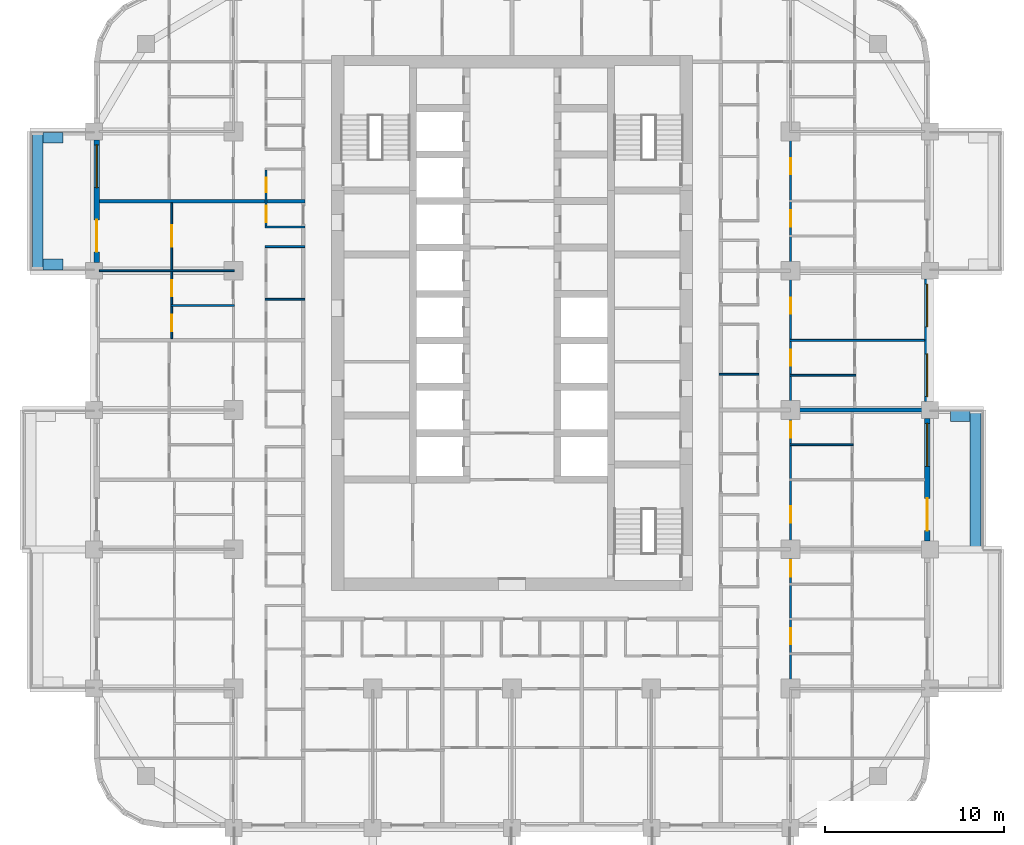
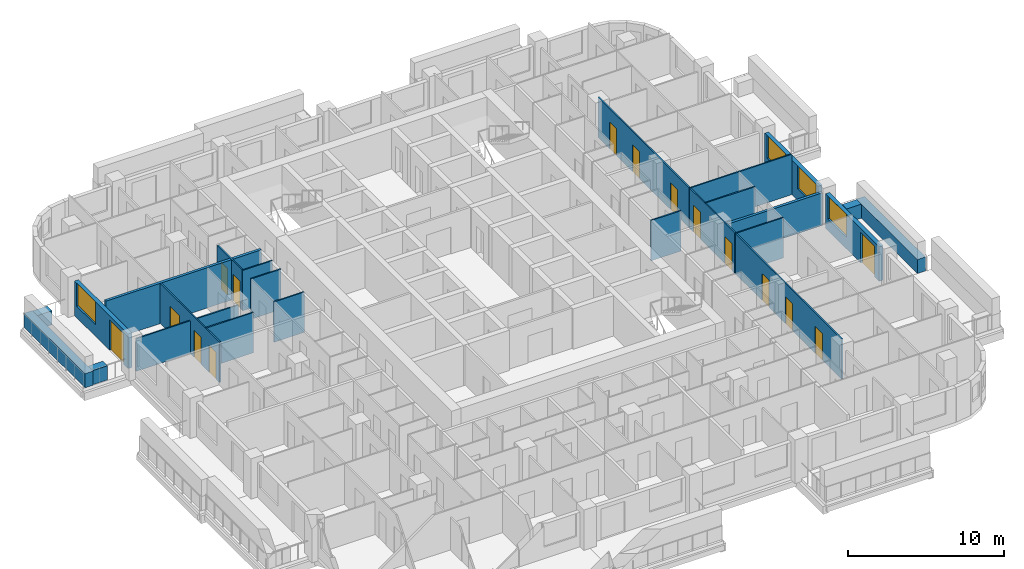
# One storey, part 9 of 18: 22 walls, 15 doors, 4 windows, 19 openings.
"""IFC4 building model written with IfcOpenShell, lengths in metres."""

from ifc_helpers import new_model, si_unit, direction, frame, frame_2d, origin, place, context, subcontext, project, spatial, rectangle, extrude, material, layer, layer_set, type_object, element, fill, save


model = new_model("IFC4")

# Units and contexts
model_context = context("Model", 3, precision=1e-05, world=origin(), true_north=direction((0.0, 1.0)))
body_context = subcontext(model_context, "Body", "Model", "MODEL_VIEW")
ifc_project = project(units=[si_unit("LENGTHUNIT", "METRE"), si_unit("AREAUNIT", "SQUARE_METRE"), si_unit("VOLUMEUNIT", "CUBIC_METRE"), si_unit("PLANEANGLEUNIT", "RADIAN"), si_unit("MASSUNIT", "GRAM", prefix="KILO")], contexts=[model_context])

# Site, building, storey
site_placement = place(None, origin())
site = spatial("IfcSite", under=ifc_project, at=site_placement, CompositionType="ELEMENT")
building_placement = place(site_placement, origin())
building = spatial("IfcBuilding", under=site, at=building_placement, Name="Ludao Terraces", CompositionType="ELEMENT")
storey_placement = place(building_placement, frame((0.0, 0.0, 61.39990234375)))
storey = spatial("IfcBuildingStorey", under=building, at=storey_placement, Name="L16", CompositionType="ELEMENT", Elevation=61.39990234375)

# Walls
ifc_material_1 = material(Name="Concrete C40", Category="concrete")
ifc_layer_1 = layer(ifc_material_1, 0.60009765625)
ifc_layer_set_1 = layer_set([ifc_layer_1], Name="ENV Planter trough 600")
wall_type_1 = type_object("IfcWallType", Name="ENV Planter trough 600", PredefinedType="USERDEFINED", material=ifc_layer_set_1)
wall_1_placement = place(storey_placement, frame((110.949951171875, 57.199951171875, 0.0), z_axis=(0.0, 0.0, 1.0), x_axis=(0.0, 1.0, 0.0)))
element("IfcWall", 1, at=wall_1_placement, inside=storey, type_object=wall_type_1, Name="PL-L16-E2", ObjectType="PLANTER", PredefinedType="USERDEFINED", context=body_context, shape_type="SweptSolid", body=[
    extrude(rectangle(XDim=7.800048828125, YDim=0.60009765625, at=frame_2d((3.89990234375, 0.0))), origin(), (0.0, 0.0, 1.0), 1.10009765625),
])
wall_2_placement = place(storey_placement, frame((110.64990234375, 64.64990234375, 0.0), z_axis=(0.0, 0.0, 1.0), x_axis=(-1.0, 0.0, 0.0)))
element("IfcWall", 2, at=wall_2_placement, inside=storey, type_object=wall_type_1, Name="PL-L16-E2-SB", ObjectType="PLANTER", PredefinedType="USERDEFINED", context=body_context, shape_type="SweptSolid", body=[
    extrude(rectangle(XDim=1.099853515625, YDim=0.60009765625, at=frame_2d((0.5498046875, 0.0))), origin(), (0.0, 0.0, 1.0), 1.10009765625),
])
wall_3_placement = place(storey_placement, frame((58.449951171875, 72.800048828125, 0.0), z_axis=(0.0, 0.0, 1.0), x_axis=(0.0, 1.0, 0.0)))
element("IfcWall", 3, at=wall_3_placement, inside=storey, type_object=wall_type_1, Name="PL-L16-W4", ObjectType="PLANTER", PredefinedType="USERDEFINED", context=body_context, shape_type="SweptSolid", body=[
    extrude(rectangle(XDim=7.800048828125, YDim=0.60009765625, at=frame_2d((3.89990234375, 0.0))), origin(), (0.0, 0.0, 1.0), 1.10009765625),
])
for number, where, z_axis, x_axis, name in (
    (4, (58.75, 73.14990234375, 0.0), (0.0, 0.0, 1.0), (1.0, 0.0, 0.0), "PL-L16-W4-SA"),
    (5, (58.75, 80.25, 0.0), (0.0, 0.0, 1.0), (1.0, 0.0, 0.0), "PL-L16-W4-SB"),
):
    element("IfcWall", number, at=place(storey_placement, frame(where, z_axis=z_axis, x_axis=x_axis)), inside=storey, type_object=wall_type_1, Name=name, ObjectType="PLANTER", PredefinedType="USERDEFINED", context=body_context, shape_type="SweptSolid", body=[
        extrude(rectangle(XDim=1.10009765625, YDim=0.60009765625, at=frame_2d((0.550048828125, 0.0))), origin(), (0.0, 0.0, 1.0), 1.10009765625),
    ])

# Wall, openings, door, window
ifc_material_2 = material(Name="Granite cladding", Category="masonry")
ifc_layer_2 = layer(ifc_material_2, 0.0400390625, Category="stone")
ifc_material_3 = material(Name="Mineral wool")
ifc_layer_3 = layer(ifc_material_3, 0.06005859375)
ifc_layer_4 = layer(ifc_material_1, 0.199951171875, Category="concrete")
ifc_layer_set_2 = layer_set([ifc_layer_2, ifc_layer_3, ifc_layer_4], Name="ENV Stone-clad wall 300")
wall_type_2 = type_object("IfcWallType", Name="ENV Stone-clad wall 300", PredefinedType="SOLIDWALL", material=ifc_layer_set_2)
wall_4_placement = place(storey_placement, frame((108.25, 57.675048828125, 0.0), z_axis=(0.0, 0.0, 1.0), x_axis=(0.0, 1.0, 0.0)))
wall_4 = element("IfcWall", 6, at=wall_4_placement, inside=storey, type_object=wall_type_2, Name="EW-L16-E3", PredefinedType="SOLIDWALL", context=body_context, shape_type="SweptSolid", body=[
    extrude(rectangle(XDim=6.849853515625, YDim=0.300048828125, at=frame_2d((3.4248046875, 0.0))), origin(), (0.0, 0.0, 1.0), 2.7001953125),
])
opening_1_placement = place(wall_4_placement, frame((0.574951171875, 0.0, 0.0)))
opening_1 = element("IfcOpeningElement", 7, at=opening_1_placement, cuts=wall_4, Name="Opening BD", PredefinedType="OPENING", context=body_context, shape_type="SweptSolid", body=[
    extrude(rectangle(XDim=1.800048828125, YDim=2.39990234375, at=frame_2d((0.89990234375, 1.199951171875))), frame((0.0, 0.16015625, 0.0), z_axis=(0.0, -1.0, 0.0), x_axis=(1.0, 0.0, 0.0)), (0.0, 0.0, 1.0), 0.320068359375),
])
opening_2_placement = place(wall_4_placement, frame((4.175048828125, 0.0, 0.89990234375)))
opening_2 = element("IfcOpeningElement", 8, at=opening_2_placement, cuts=wall_4, Name="Opening W1", PredefinedType="OPENING", context=body_context, shape_type="SweptSolid", body=[
    extrude(rectangle(XDim=2.39990234375, YDim=1.800048828125, at=frame_2d((1.199951171875, 0.89990234375))), frame((0.0, 0.16015625, 0.0), z_axis=(0.0, -1.0, 0.0), x_axis=(1.0, 0.0, 0.0)), (0.0, 0.0, 1.0), 0.320068359375),
])
ifc_material_4 = material(Name="Aluminium glazed door", Category="aluminium")
ifc_layer_5 = layer(ifc_material_4, 0.06005859375)
ifc_layer_set_3 = layer_set([ifc_layer_5], Name="ENV Balcony door BD 1800x2400")
door_type_1 = type_object("IfcDoorType", Name="ENV Balcony door BD 1800x2400", OperationType="DOUBLE_DOOR_SINGLE_SWING", PredefinedType="DOOR", material=ifc_layer_set_3)
door_1_placement = place(opening_1_placement, origin())
door_1 = element("IfcDoor", 9, at=door_1_placement, inside=storey, type_object=door_type_1, Name="BD-L16-E3-1", OperationType="DOUBLE_DOOR_SINGLE_SWING", OverallHeight=2.39990234375, OverallWidth=1.800048828125, PredefinedType="DOOR", context=body_context, shape_type="SweptSolid", body=[
    extrude(rectangle(XDim=1.800048828125, YDim=2.39990234375, at=frame_2d((0.89990234375, 1.199951171875))), frame((0.0, 0.02490234375, 0.0), z_axis=(0.0, -1.0, 0.0), x_axis=(1.0, 0.0, 0.0)), (0.0, 0.0, 1.0), 0.050048828125),
])
fill(opening_1, door_1)
ifc_material_5 = material(Name="Clear glass in aluminium frame", Category="aluminium")
ifc_layer_6 = layer(ifc_material_5, 0.06005859375)
ifc_layer_set_4 = layer_set([ifc_layer_6], Name="ENV Window W1 2400x1800")
window_type = type_object("IfcWindowType", Name="ENV Window W1 2400x1800", PartitioningType="DOUBLE_PANEL_VERTICAL", PredefinedType="WINDOW", material=ifc_layer_set_4)
window_1_placement = place(opening_2_placement, origin())
window_1 = element("IfcWindow", 10, at=window_1_placement, inside=storey, type_object=window_type, Name="W-L16-E3-2", OverallHeight=1.800048828125, OverallWidth=2.39990234375, PartitioningType="DOUBLE_PANEL_VERTICAL", PredefinedType="WINDOW", context=body_context, shape_type="SweptSolid", body=[
    extrude(rectangle(XDim=2.39990234375, YDim=1.800048828125, at=frame_2d((1.199951171875, 0.89990234375))), frame((0.0, 0.030029296875, 0.0), z_axis=(0.0, -1.0, 0.0), x_axis=(1.0, 0.0, 0.0)), (0.0, 0.0, 1.0), 0.06005859375),
])
fill(opening_2, window_1)

# Wall, openings, windows
wall_5_placement = place(storey_placement, frame((108.25, 65.47509765625, 0.0), z_axis=(0.0, 0.0, 1.0), x_axis=(0.0, 1.0, 0.0)))
wall_5 = element("IfcWall", 11, at=wall_5_placement, inside=storey, type_object=wall_type_2, Name="EW-L16-E4", PredefinedType="SOLIDWALL", context=body_context, shape_type="SweptSolid", body=[
    extrude(rectangle(XDim=6.849853515625, YDim=0.300048828125, at=frame_2d((3.4248046875, 0.0))), origin(), (0.0, 0.0, 1.0), 2.7001953125),
])
opening_3_placement = place(wall_5_placement, frame((0.27490234375, 0.0, 0.89990234375)))
opening_3 = element("IfcOpeningElement", 12, at=opening_3_placement, cuts=wall_5, Name="Opening W1", PredefinedType="OPENING", context=body_context, shape_type="SweptSolid", body=[
    extrude(rectangle(XDim=2.39990234375, YDim=1.800048828125, at=frame_2d((1.199951171875, 0.89990234375))), frame((0.0, 0.16015625, 0.0), z_axis=(0.0, -1.0, 0.0), x_axis=(1.0, 0.0, 0.0)), (0.0, 0.0, 1.0), 0.320068359375),
])
opening_4_placement = place(wall_5_placement, frame((4.175048828125, 0.0, 0.89990234375)))
opening_4 = element("IfcOpeningElement", 13, at=opening_4_placement, cuts=wall_5, Name="Opening W1", PredefinedType="OPENING", context=body_context, shape_type="SweptSolid", body=[
    extrude(rectangle(XDim=2.39990234375, YDim=1.800048828125, at=frame_2d((1.199951171875, 0.89990234375))), frame((0.0, 0.16015625, 0.0), z_axis=(0.0, -1.0, 0.0), x_axis=(1.0, 0.0, 0.0)), (0.0, 0.0, 1.0), 0.320068359375),
])
window_2_placement = place(opening_3_placement, origin())
window_2 = element("IfcWindow", 14, at=window_2_placement, inside=storey, type_object=window_type, Name="W-L16-E4-1", OverallHeight=1.800048828125, OverallWidth=2.39990234375, PartitioningType="DOUBLE_PANEL_VERTICAL", PredefinedType="WINDOW", context=body_context, shape_type="SweptSolid", body=[
    extrude(rectangle(XDim=2.39990234375, YDim=1.800048828125, at=frame_2d((1.199951171875, 0.89990234375))), frame((0.0, 0.030029296875, 0.0), z_axis=(0.0, -1.0, 0.0), x_axis=(1.0, 0.0, 0.0)), (0.0, 0.0, 1.0), 0.06005859375),
])
fill(opening_3, window_2)
window_3_placement = place(opening_4_placement, origin())
window_3 = element("IfcWindow", 15, at=window_3_placement, inside=storey, type_object=window_type, Name="W-L16-E4-2", OverallHeight=1.800048828125, OverallWidth=2.39990234375, PartitioningType="DOUBLE_PANEL_VERTICAL", PredefinedType="WINDOW", context=body_context, shape_type="SweptSolid", body=[
    extrude(rectangle(XDim=2.39990234375, YDim=1.800048828125, at=frame_2d((1.199951171875, 0.89990234375))), frame((0.0, 0.030029296875, 0.0), z_axis=(0.0, -1.0, 0.0), x_axis=(1.0, 0.0, 0.0)), (0.0, 0.0, 1.0), 0.06005859375),
])
fill(opening_4, window_3)

# Wall, openings, door, window
wall_6_placement = place(storey_placement, frame((61.75, 73.27490234375, 0.0), z_axis=(0.0, 0.0, 1.0), x_axis=(0.0, 1.0, 0.0)))
wall_6 = element("IfcWall", 16, at=wall_6_placement, inside=storey, type_object=wall_type_2, Name="EW-L16-W5", PredefinedType="SOLIDWALL", context=body_context, shape_type="SweptSolid", body=[
    extrude(rectangle(XDim=6.85009765625, YDim=0.300048828125, at=frame_2d((3.425048828125, 0.0))), origin(), (0.0, 0.0, 1.0), 2.7001953125),
])
opening_5_placement = place(wall_6_placement, frame((0.574951171875, 0.0, 0.0)))
opening_5 = element("IfcOpeningElement", 17, at=opening_5_placement, cuts=wall_6, Name="Opening BD", PredefinedType="OPENING", context=body_context, shape_type="SweptSolid", body=[
    extrude(rectangle(XDim=1.800048828125, YDim=2.39990234375, at=frame_2d((0.89990234375, 1.199951171875))), frame((0.0, 0.16015625, 0.0), z_axis=(0.0, -1.0, 0.0), x_axis=(1.0, 0.0, 0.0)), (0.0, 0.0, 1.0), 0.320068359375),
])
opening_6_placement = place(wall_6_placement, frame((4.175048828125, 0.0, 0.89990234375)))
opening_6 = element("IfcOpeningElement", 18, at=opening_6_placement, cuts=wall_6, Name="Opening W1", PredefinedType="OPENING", context=body_context, shape_type="SweptSolid", body=[
    extrude(rectangle(XDim=2.39990234375, YDim=1.800048828125, at=frame_2d((1.199951171875, 0.89990234375))), frame((0.0, 0.16015625, 0.0), z_axis=(0.0, -1.0, 0.0), x_axis=(1.0, 0.0, 0.0)), (0.0, 0.0, 1.0), 0.320068359375),
])
door_2_placement = place(opening_5_placement, origin())
door_2 = element("IfcDoor", 19, at=door_2_placement, inside=storey, type_object=door_type_1, Name="BD-L16-W5-1", OperationType="DOUBLE_DOOR_SINGLE_SWING", OverallHeight=2.39990234375, OverallWidth=1.800048828125, PredefinedType="DOOR", context=body_context, shape_type="SweptSolid", body=[
    extrude(rectangle(XDim=1.800048828125, YDim=2.39990234375, at=frame_2d((0.89990234375, 1.199951171875))), frame((0.0, 0.02490234375, 0.0), z_axis=(0.0, -1.0, 0.0), x_axis=(1.0, 0.0, 0.0)), (0.0, 0.0, 1.0), 0.050048828125),
])
fill(opening_5, door_2)
window_4_placement = place(opening_6_placement, origin())
window_4 = element("IfcWindow", 20, at=window_4_placement, inside=storey, type_object=window_type, Name="W-L16-W5-2", OverallHeight=1.800048828125, OverallWidth=2.39990234375, PartitioningType="DOUBLE_PANEL_VERTICAL", PredefinedType="WINDOW", context=body_context, shape_type="SweptSolid", body=[
    extrude(rectangle(XDim=2.39990234375, YDim=1.800048828125, at=frame_2d((1.199951171875, 0.89990234375))), frame((0.0, 0.030029296875, 0.0), z_axis=(0.0, -1.0, 0.0), x_axis=(1.0, 0.0, 0.0)), (0.0, 0.0, 1.0), 0.06005859375),
])
fill(opening_6, window_4)

# Walls
ifc_material_6 = material(Name="Gypsum plasterboard", Category="gypsum")
ifc_layer_7 = layer(ifc_material_6, 0.012451171875, Category="gypsum")
ifc_layer_8 = layer(ifc_material_3, 0.06005859375, Name="insulation")
ifc_material_7 = material(Name="Steel Q235", Category="steel")
ifc_layer_9 = layer(ifc_material_7, 0.014892578125, Name="stud")
ifc_layer_10 = layer(ifc_material_6, 0.012451171875, Category="gypsum")
ifc_layer_set_5 = layer_set([ifc_layer_7, ifc_layer_8, ifc_layer_9, ifc_layer_10], Name="INT Partition 100")
wall_type_3 = type_object("IfcWallType", Name="INT Partition 100", PredefinedType="PARTITIONING", material=ifc_layer_set_5)
wall_7_placement = place(storey_placement, frame((100.550048828125, 63.050048828125, 0.0), z_axis=(0.0, 0.0, 1.0), x_axis=(1.0, 0.0, 0.0)))
element("IfcWall", 21, at=wall_7_placement, inside=storey, type_object=wall_type_3, Name="PW-L16-PW039", PredefinedType="PARTITIONING", context=body_context, shape_type="SweptSolid", body=[
    extrude(rectangle(XDim=3.550048828125, YDim=0.10009765625, at=frame_2d((1.77490234375, 0.0))), origin(), (0.0, 0.0, 1.0), 3.150146484375),
])
wall_8_placement = place(storey_placement, frame((100.550048828125, 66.949951171875, 0.0), z_axis=(0.0, 0.0, 1.0), x_axis=(1.0, 0.0, 0.0)))
element("IfcWall", 22, at=wall_8_placement, inside=storey, type_object=wall_type_3, Name="PW-L16-PW045", PredefinedType="PARTITIONING", context=body_context, shape_type="SweptSolid", body=[
    extrude(rectangle(XDim=3.699951171875, YDim=0.10009765625, at=frame_2d((1.85009765625, 0.0))), origin(), (0.0, 0.0, 1.0), 3.150146484375),
])
wall_9_placement = place(storey_placement, frame((96.60009765625, 67.0, 0.0), z_axis=(0.0, 0.0, 1.0), x_axis=(1.0, 0.0, 0.0)))
element("IfcWall", 23, at=wall_9_placement, inside=storey, type_object=wall_type_3, Name="PW-L16-PW046", PredefinedType="PARTITIONING", context=body_context, shape_type="SweptSolid", body=[
    extrude(rectangle(XDim=2.219970703125, YDim=0.10009765625, at=frame_2d((1.10986328125, 0.0))), origin(), (0.0, 0.0, 1.0), 3.150146484375),
])
wall_10_placement = place(storey_placement, frame((100.550048828125, 68.89990234375, 0.0), z_axis=(0.0, 0.0, 1.0), x_axis=(1.0, 0.0, 0.0)))
element("IfcWall", 24, at=wall_10_placement, inside=storey, type_object=wall_type_3, Name="PW-L16-PW050", PredefinedType="PARTITIONING", context=body_context, shape_type="SweptSolid", body=[
    extrude(rectangle(XDim=7.550048828125, YDim=0.10009765625, at=frame_2d((3.77490234375, 0.0))), origin(), (0.0, 0.0, 1.0), 3.150146484375),
])
wall_11_placement = place(storey_placement, frame((65.900146484375, 70.85009765625, 0.0), z_axis=(0.0, 0.0, 1.0), x_axis=(1.0, 0.0, 0.0)))
element("IfcWall", 25, at=wall_11_placement, inside=storey, type_object=wall_type_3, Name="PW-L16-PW053", PredefinedType="PARTITIONING", context=body_context, shape_type="SweptSolid", body=[
    extrude(rectangle(XDim=3.550048828125, YDim=0.10009765625, at=frame_2d((1.77490234375, 0.0))), origin(), (0.0, 0.0, 1.0), 3.150146484375),
])
wall_12_placement = place(storey_placement, frame((71.18017578125, 71.199951171875, 0.0), z_axis=(0.0, 0.0, 1.0), x_axis=(1.0, 0.0, 0.0)))
element("IfcWall", 26, at=wall_12_placement, inside=storey, type_object=wall_type_3, Name="PW-L16-PW055", PredefinedType="PARTITIONING", context=body_context, shape_type="SweptSolid", body=[
    extrude(rectangle(XDim=2.219970703125, YDim=0.10009765625, at=frame_2d((1.10986328125, 0.0))), origin(), (0.0, 0.0, 1.0), 3.150146484375),
])
wall_13_placement = place(storey_placement, frame((61.900146484375, 72.800048828125, 0.0), z_axis=(0.0, 0.0, 1.0), x_axis=(1.0, 0.0, 0.0)))
element("IfcWall", 27, at=wall_13_placement, inside=storey, type_object=wall_type_3, Name="PW-L16-PW056", PredefinedType="PARTITIONING", context=body_context, shape_type="SweptSolid", body=[
    extrude(rectangle(XDim=7.550048828125, YDim=0.10009765625, at=frame_2d((3.77490234375, 0.0))), origin(), (0.0, 0.0, 1.0), 2.550048828125),
])
for number, where, z_axis, x_axis, name in (
    (28, (71.18017578125, 74.14990234375, 0.0), (0.0, 0.0, 1.0), (1.0, 0.0, 0.0), "PW-L16-PW059"),
    (29, (71.18017578125, 75.25, 0.0), (0.0, 0.0, 1.0), (1.0, 0.0, 0.0), "PW-L16-PW062"),
):
    element("IfcWall", number, at=place(storey_placement, frame(where, z_axis=z_axis, x_axis=x_axis)), inside=storey, type_object=wall_type_3, Name=name, PredefinedType="PARTITIONING", context=body_context, shape_type="SweptSolid", body=[
        extrude(rectangle(XDim=2.219970703125, YDim=0.10009765625, at=frame_2d((1.10986328125, 0.0))), origin(), (0.0, 0.0, 1.0), 3.150146484375),
    ])

# Wall, openings, doors
wall_14_placement = place(storey_placement, frame((65.949951171875, 69.0, 0.0), z_axis=(0.0, 0.0, 1.0), x_axis=(0.0, 1.0, 0.0)))
wall_14 = element("IfcWall", 30, at=wall_14_placement, inside=storey, type_object=wall_type_3, Name="PW-L16-PW083", PredefinedType="PARTITIONING", context=body_context, shape_type="SweptSolid", body=[
    extrude(rectangle(XDim=7.60009765625, YDim=0.10009765625, at=frame_2d((3.800048828125, 0.0))), origin(), (0.0, 0.0, 1.0), 3.150146484375),
])
opening_7_placement = place(wall_14_placement, frame((0.425048828125, 0.0, 0.0)))
opening_7 = element("IfcOpeningElement", 31, at=opening_7_placement, cuts=wall_14, Name="Opening R05-102", PredefinedType="OPENING", context=body_context, shape_type="SweptSolid", body=[
    extrude(rectangle(XDim=0.89990234375, YDim=2.10009765625, at=frame_2d((0.449951171875, 1.050048828125))), frame((0.0, 0.06005859375, 0.0), z_axis=(0.0, -1.0, 0.0), x_axis=(1.0, 0.0, 0.0)), (0.0, 0.0, 1.0), 0.1201171875),
])
opening_8_placement = place(wall_14_placement, frame((2.375, 0.0, 0.0)))
opening_8 = element("IfcOpeningElement", 32, at=opening_8_placement, cuts=wall_14, Name="Opening R05-110", PredefinedType="OPENING", context=body_context, shape_type="SweptSolid", body=[
    extrude(rectangle(XDim=0.89990234375, YDim=2.10009765625, at=frame_2d((0.449951171875, 1.050048828125))), frame((0.0, 0.06005859375, 0.0), z_axis=(0.0, -1.0, 0.0), x_axis=(1.0, 0.0, 0.0)), (0.0, 0.0, 1.0), 0.1201171875),
])
opening_9_placement = place(wall_14_placement, frame((5.150146484375, 0.0, 0.0)))
opening_9 = element("IfcOpeningElement", 33, at=opening_9_placement, cuts=wall_14, Name="Opening R05-119", PredefinedType="OPENING", context=body_context, shape_type="SweptSolid", body=[
    extrude(rectangle(XDim=1.199951171875, YDim=2.10009765625, at=frame_2d((0.60009765625, 1.050048828125))), frame((0.0, 0.06005859375, 0.0), z_axis=(0.0, -1.0, 0.0), x_axis=(1.0, 0.0, 0.0)), (0.0, 0.0, 1.0), 0.1201171875),
])
ifc_material_8 = material(Name="Timber door leaf", Category="wood")
door_type_2 = type_object("IfcDoorType", Name="INT Bathroom door 900", OperationType="SINGLE_SWING_LEFT", PredefinedType="DOOR", material=ifc_material_8)
door_3_placement = place(opening_7_placement, origin())
door_3 = element("IfcDoor", 34, at=door_3_placement, inside=storey, type_object=door_type_2, Name="DOOR 102", OperationType="SINGLE_SWING_RIGHT", OverallHeight=2.10009765625, OverallWidth=0.89990234375, PredefinedType="DOOR", context=body_context, shape_type="SweptSolid", body=[
    extrude(rectangle(XDim=0.89990234375, YDim=2.10009765625, at=frame_2d((0.449951171875, 1.050048828125))), frame((0.0, 0.02490234375, 0.0), z_axis=(0.0, -1.0, 0.0), x_axis=(1.0, 0.0, 0.0)), (0.0, 0.0, 1.0), 0.050048828125),
])
fill(opening_7, door_3)
door_type_3 = type_object("IfcDoorType", Name="INT Double door 1200", OperationType="DOUBLE_DOOR_SINGLE_SWING", PredefinedType="DOOR", material=ifc_material_8)
door_4_placement = place(opening_9_placement, origin())
door_4 = element("IfcDoor", 35, at=door_4_placement, inside=storey, type_object=door_type_3, Name="DOOR 119", OperationType="DOUBLE_DOOR_SINGLE_SWING", OverallHeight=2.10009765625, OverallWidth=1.199951171875, PredefinedType="DOOR", context=body_context, shape_type="SweptSolid", body=[
    extrude(rectangle(XDim=1.199951171875, YDim=2.10009765625, at=frame_2d((0.60009765625, 1.050048828125))), frame((0.0, 0.02490234375, 0.0), z_axis=(0.0, -1.0, 0.0), x_axis=(1.0, 0.0, 0.0)), (0.0, 0.0, 1.0), 0.050048828125),
])
fill(opening_9, door_4)
door_type_4 = type_object("IfcDoorType", Name="INT Room door 900", OperationType="SINGLE_SWING_LEFT", PredefinedType="DOOR", material=ifc_material_8)
door_5_placement = place(opening_8_placement, origin())
door_5 = element("IfcDoor", 36, at=door_5_placement, inside=storey, type_object=door_type_4, Name="DOOR 110", OperationType="SINGLE_SWING_RIGHT", OverallHeight=2.10009765625, OverallWidth=0.89990234375, PredefinedType="DOOR", context=body_context, shape_type="SweptSolid", body=[
    extrude(rectangle(XDim=0.89990234375, YDim=2.10009765625, at=frame_2d((0.449951171875, 1.050048828125))), frame((0.0, 0.02490234375, 0.0), z_axis=(0.0, -1.0, 0.0), x_axis=(1.0, 0.0, 0.0)), (0.0, 0.0, 1.0), 0.050048828125),
])
fill(opening_8, door_5)

wall_15_placement = place(storey_placement, frame((71.22998046875, 75.300048828125, 0.0), z_axis=(0.0, 0.0, 1.0), x_axis=(0.0, 1.0, 0.0)))
wall_15 = element("IfcWall", 37, at=wall_15_placement, inside=storey, type_object=wall_type_3, Name="PW-L16-PW089", PredefinedType="PARTITIONING", context=body_context, shape_type="SweptSolid", body=[
    extrude(rectangle(XDim=3.150146484375, YDim=0.10009765625, at=frame_2d((1.5751953125, 0.0))), origin(), (0.0, 0.0, 1.0), 3.150146484375),
])
opening_10_placement = place(wall_15_placement, frame((0.22509765625, 0.0, 0.0)))
opening_10 = element("IfcOpeningElement", 38, at=opening_10_placement, cuts=wall_15, Name="Opening R05-128", PredefinedType="OPENING", context=body_context, shape_type="SweptSolid", body=[
    extrude(rectangle(XDim=0.89990234375, YDim=2.10009765625, at=frame_2d((0.449951171875, 1.050048828125))), frame((0.0, 0.06005859375, 0.0), z_axis=(0.0, -1.0, 0.0), x_axis=(1.0, 0.0, 0.0)), (0.0, 0.0, 1.0), 0.1201171875),
])
opening_11_placement = place(wall_15_placement, frame((1.89990234375, 0.0, 0.0)))
opening_11 = element("IfcOpeningElement", 39, at=opening_11_placement, cuts=wall_15, Name="Opening R05-132", PredefinedType="OPENING", context=body_context, shape_type="SweptSolid", body=[
    extrude(rectangle(XDim=0.800048828125, YDim=2.10009765625, at=frame_2d((0.39990234375, 1.050048828125))), frame((0.0, 0.06005859375, 0.0), z_axis=(0.0, -1.0, 0.0), x_axis=(1.0, 0.0, 0.0)), (0.0, 0.0, 1.0), 0.1201171875),
])
door_6_placement = place(opening_10_placement, origin())
door_6 = element("IfcDoor", 40, at=door_6_placement, inside=storey, type_object=door_type_2, Name="DOOR 128", OperationType="SINGLE_SWING_LEFT", OverallHeight=2.10009765625, OverallWidth=0.89990234375, PredefinedType="DOOR", context=body_context, shape_type="SweptSolid", body=[
    extrude(rectangle(XDim=0.89990234375, YDim=2.10009765625, at=frame_2d((0.449951171875, 1.050048828125))), frame((0.0, 0.02490234375, 0.0), z_axis=(0.0, -1.0, 0.0), x_axis=(1.0, 0.0, 0.0)), (0.0, 0.0, 1.0), 0.050048828125),
])
fill(opening_10, door_6)
door_type_5 = type_object("IfcDoorType", Name="INT Store door 800", OperationType="SINGLE_SWING_LEFT", PredefinedType="DOOR", material=ifc_material_8)
door_7_placement = place(opening_11_placement, origin())
door_7 = element("IfcDoor", 41, at=door_7_placement, inside=storey, type_object=door_type_5, Name="DOOR 132", OperationType="SINGLE_SWING_RIGHT", OverallHeight=2.10009765625, OverallWidth=0.800048828125, PredefinedType="DOOR", context=body_context, shape_type="SweptSolid", body=[
    extrude(rectangle(XDim=0.800048828125, YDim=2.10009765625, at=frame_2d((0.39990234375, 1.050048828125))), frame((0.0, 0.02490234375, 0.0), z_axis=(0.0, -1.0, 0.0), x_axis=(1.0, 0.0, 0.0)), (0.0, 0.0, 1.0), 0.050048828125),
])
fill(opening_11, door_7)

wall_16_placement = place(storey_placement, frame((100.60009765625, 49.39990234375, 0.0), z_axis=(0.0, 0.0, 1.0), x_axis=(0.0, 1.0, 0.0)))
wall_16 = element("IfcWall", 42, at=wall_16_placement, inside=storey, type_object=wall_type_3, Name="PW-L16-PW125-2", PredefinedType="PARTITIONING", context=body_context, shape_type="SweptSolid", body=[
    extrude(rectangle(XDim=31.2001953125, YDim=0.10009765625, at=frame_2d((15.60009765625, 0.0))), origin(), (0.0, 0.0, 1.0), 3.150146484375),
])
opening_12_placement = place(wall_16_placement, frame((2.47509765625, 0.0, 0.0)))
opening_12 = element("IfcOpeningElement", 43, at=opening_12_placement, cuts=wall_16, Name="Opening R05-044", PredefinedType="OPENING", context=body_context, shape_type="SweptSolid", body=[
    extrude(rectangle(XDim=0.89990234375, YDim=2.10009765625, at=frame_2d((0.449951171875, 1.050048828125))), frame((0.0, 0.06005859375, 0.0), z_axis=(0.0, -1.0, 0.0), x_axis=(1.0, 0.0, 0.0)), (0.0, 0.0, 1.0), 0.1201171875),
])
opening_13_placement = place(wall_16_placement, frame((6.275146484375, 0.0, 0.0)))
opening_13 = element("IfcOpeningElement", 44, at=opening_13_placement, cuts=wall_16, Name="Opening R05-058", PredefinedType="OPENING", context=body_context, shape_type="SweptSolid", body=[
    extrude(rectangle(XDim=0.89990234375, YDim=2.10009765625, at=frame_2d((0.449951171875, 1.050048828125))), frame((0.0, 0.06005859375, 0.0), z_axis=(0.0, -1.0, 0.0), x_axis=(1.0, 0.0, 0.0)), (0.0, 0.0, 1.0), 0.1201171875),
])
opening_14_placement = place(wall_16_placement, frame((9.30029296875, 0.0, 0.0)))
opening_14 = element("IfcOpeningElement", 45, at=opening_14_placement, cuts=wall_16, Name="Opening R05-067", PredefinedType="OPENING", context=body_context, shape_type="SweptSolid", body=[
    extrude(rectangle(XDim=0.89990234375, YDim=2.10009765625, at=frame_2d((0.449951171875, 1.050048828125))), frame((0.0, 0.06005859375, 0.0), z_axis=(0.0, -1.0, 0.0), x_axis=(1.0, 0.0, 0.0)), (0.0, 0.0, 1.0), 0.1201171875),
])
opening_15_placement = place(wall_16_placement, frame((14.05029296875, 0.0, 0.0)))
opening_15 = element("IfcOpeningElement", 46, at=opening_15_placement, cuts=wall_16, Name="Opening R05-084", PredefinedType="OPENING", context=body_context, shape_type="SweptSolid", body=[
    extrude(rectangle(XDim=0.89990234375, YDim=2.10009765625, at=frame_2d((0.449951171875, 1.050048828125))), frame((0.0, 0.06005859375, 0.0), z_axis=(0.0, -1.0, 0.0), x_axis=(1.0, 0.0, 0.0)), (0.0, 0.0, 1.0), 0.1201171875),
])
opening_16_placement = place(wall_16_placement, frame((18.0751953125, 0.0, 0.0)))
opening_16 = element("IfcOpeningElement", 47, at=opening_16_placement, cuts=wall_16, Name="Opening R05-098", PredefinedType="OPENING", context=body_context, shape_type="SweptSolid", body=[
    extrude(rectangle(XDim=0.89990234375, YDim=2.10009765625, at=frame_2d((0.449951171875, 1.050048828125))), frame((0.0, 0.06005859375, 0.0), z_axis=(0.0, -1.0, 0.0), x_axis=(1.0, 0.0, 0.0)), (0.0, 0.0, 1.0), 0.1201171875),
])
opening_17_placement = place(wall_16_placement, frame((21.000244140625, 0.0, 0.0)))
opening_17 = element("IfcOpeningElement", 48, at=opening_17_placement, cuts=wall_16, Name="Opening R05-106", PredefinedType="OPENING", context=body_context, shape_type="SweptSolid", body=[
    extrude(rectangle(XDim=0.89990234375, YDim=2.10009765625, at=frame_2d((0.449951171875, 1.050048828125))), frame((0.0, 0.06005859375, 0.0), z_axis=(0.0, -1.0, 0.0), x_axis=(1.0, 0.0, 0.0)), (0.0, 0.0, 1.0), 0.1201171875),
])
opening_18_placement = place(wall_16_placement, frame((25.875244140625, 0.0, 0.0)))
opening_18 = element("IfcOpeningElement", 49, at=opening_18_placement, cuts=wall_16, Name="Opening R05-125", PredefinedType="OPENING", context=body_context, shape_type="SweptSolid", body=[
    extrude(rectangle(XDim=0.89990234375, YDim=2.10009765625, at=frame_2d((0.449951171875, 1.050048828125))), frame((0.0, 0.06005859375, 0.0), z_axis=(0.0, -1.0, 0.0), x_axis=(1.0, 0.0, 0.0)), (0.0, 0.0, 1.0), 0.1201171875),
])
opening_19_placement = place(wall_16_placement, frame((28.80029296875, 0.0, 0.0)))
opening_19 = element("IfcOpeningElement", 50, at=opening_19_placement, cuts=wall_16, Name="Opening R05-139", PredefinedType="OPENING", context=body_context, shape_type="SweptSolid", body=[
    extrude(rectangle(XDim=0.89990234375, YDim=2.10009765625, at=frame_2d((0.449951171875, 1.050048828125))), frame((0.0, 0.06005859375, 0.0), z_axis=(0.0, -1.0, 0.0), x_axis=(1.0, 0.0, 0.0)), (0.0, 0.0, 1.0), 0.1201171875),
])
door_8_placement = place(opening_12_placement, origin())
door_8 = element("IfcDoor", 51, at=door_8_placement, inside=storey, type_object=door_type_4, Name="DOOR 044", OperationType="SINGLE_SWING_RIGHT", OverallHeight=2.10009765625, OverallWidth=0.89990234375, PredefinedType="DOOR", context=body_context, shape_type="SweptSolid", body=[
    extrude(rectangle(XDim=0.89990234375, YDim=2.10009765625, at=frame_2d((0.449951171875, 1.050048828125))), frame((0.0, 0.02490234375, 0.0), z_axis=(0.0, -1.0, 0.0), x_axis=(1.0, 0.0, 0.0)), (0.0, 0.0, 1.0), 0.050048828125),
])
fill(opening_12, door_8)
door_9_placement = place(opening_13_placement, origin())
door_9 = element("IfcDoor", 52, at=door_9_placement, inside=storey, type_object=door_type_4, Name="DOOR 058", OperationType="SINGLE_SWING_RIGHT", OverallHeight=2.10009765625, OverallWidth=0.89990234375, PredefinedType="DOOR", context=body_context, shape_type="SweptSolid", body=[
    extrude(rectangle(XDim=0.89990234375, YDim=2.10009765625, at=frame_2d((0.449951171875, 1.050048828125))), frame((0.0, 0.02490234375, 0.0), z_axis=(0.0, -1.0, 0.0), x_axis=(1.0, 0.0, 0.0)), (0.0, 0.0, 1.0), 0.050048828125),
])
fill(opening_13, door_9)
door_10_placement = place(opening_14_placement, origin())
door_10 = element("IfcDoor", 53, at=door_10_placement, inside=storey, type_object=door_type_4, Name="DOOR 067", OperationType="SINGLE_SWING_LEFT", OverallHeight=2.10009765625, OverallWidth=0.89990234375, PredefinedType="DOOR", context=body_context, shape_type="SweptSolid", body=[
    extrude(rectangle(XDim=0.89990234375, YDim=2.10009765625, at=frame_2d((0.449951171875, 1.050048828125))), frame((0.0, 0.02490234375, 0.0), z_axis=(0.0, -1.0, 0.0), x_axis=(1.0, 0.0, 0.0)), (0.0, 0.0, 1.0), 0.050048828125),
])
fill(opening_14, door_10)
door_11_placement = place(opening_15_placement, origin())
door_11 = element("IfcDoor", 54, at=door_11_placement, inside=storey, type_object=door_type_4, Name="DOOR 084", OperationType="SINGLE_SWING_RIGHT", OverallHeight=2.10009765625, OverallWidth=0.89990234375, PredefinedType="DOOR", context=body_context, shape_type="SweptSolid", body=[
    extrude(rectangle(XDim=0.89990234375, YDim=2.10009765625, at=frame_2d((0.449951171875, 1.050048828125))), frame((0.0, 0.02490234375, 0.0), z_axis=(0.0, -1.0, 0.0), x_axis=(1.0, 0.0, 0.0)), (0.0, 0.0, 1.0), 0.050048828125),
])
fill(opening_15, door_11)
door_12_placement = place(opening_16_placement, origin())
door_12 = element("IfcDoor", 55, at=door_12_placement, inside=storey, type_object=door_type_4, Name="DOOR 098", OperationType="SINGLE_SWING_RIGHT", OverallHeight=2.10009765625, OverallWidth=0.89990234375, PredefinedType="DOOR", context=body_context, shape_type="SweptSolid", body=[
    extrude(rectangle(XDim=0.89990234375, YDim=2.10009765625, at=frame_2d((0.449951171875, 1.050048828125))), frame((0.0, 0.02490234375, 0.0), z_axis=(0.0, -1.0, 0.0), x_axis=(1.0, 0.0, 0.0)), (0.0, 0.0, 1.0), 0.050048828125),
])
fill(opening_16, door_12)
door_13_placement = place(opening_17_placement, origin())
door_13 = element("IfcDoor", 56, at=door_13_placement, inside=storey, type_object=door_type_4, Name="DOOR 106", OperationType="SINGLE_SWING_RIGHT", OverallHeight=2.10009765625, OverallWidth=0.89990234375, PredefinedType="DOOR", context=body_context, shape_type="SweptSolid", body=[
    extrude(rectangle(XDim=0.89990234375, YDim=2.10009765625, at=frame_2d((0.449951171875, 1.050048828125))), frame((0.0, 0.02490234375, 0.0), z_axis=(0.0, -1.0, 0.0), x_axis=(1.0, 0.0, 0.0)), (0.0, 0.0, 1.0), 0.050048828125),
])
fill(opening_17, door_13)
door_14_placement = place(opening_18_placement, origin())
door_14 = element("IfcDoor", 57, at=door_14_placement, inside=storey, type_object=door_type_4, Name="DOOR 125", OperationType="SINGLE_SWING_LEFT", OverallHeight=2.10009765625, OverallWidth=0.89990234375, PredefinedType="DOOR", context=body_context, shape_type="SweptSolid", body=[
    extrude(rectangle(XDim=0.89990234375, YDim=2.10009765625, at=frame_2d((0.449951171875, 1.050048828125))), frame((0.0, 0.02490234375, 0.0), z_axis=(0.0, -1.0, 0.0), x_axis=(1.0, 0.0, 0.0)), (0.0, 0.0, 1.0), 0.050048828125),
])
fill(opening_18, door_14)
door_15_placement = place(opening_19_placement, origin())
door_15 = element("IfcDoor", 58, at=door_15_placement, inside=storey, type_object=door_type_4, Name="DOOR 139", OperationType="SINGLE_SWING_LEFT", OverallHeight=2.10009765625, OverallWidth=0.89990234375, PredefinedType="DOOR", context=body_context, shape_type="SweptSolid", body=[
    extrude(rectangle(XDim=0.89990234375, YDim=2.10009765625, at=frame_2d((0.449951171875, 1.050048828125))), frame((0.0, 0.02490234375, 0.0), z_axis=(0.0, -1.0, 0.0), x_axis=(1.0, 0.0, 0.0)), (0.0, 0.0, 1.0), 0.050048828125),
])
fill(opening_19, door_15)

# Walls
ifc_material_9 = material(Name="Autoclaved aerated concrete block B06 A3.5", Category="concrete")
ifc_layer_11 = layer(ifc_material_9, 0.199951171875)
ifc_layer_set_6 = layer_set([ifc_layer_11], Name="INT Party wall 200")
wall_type_4 = type_object("IfcWallType", Name="INT Party wall 200", PredefinedType="PARTITIONING", material=ifc_layer_set_6)
wall_17_placement = place(storey_placement, frame((100.60009765625, 65.0, 0.0), z_axis=(0.0, 0.0, 1.0), x_axis=(1.0, 0.0, 0.0)))
element("IfcWall", 59, at=wall_17_placement, inside=storey, type_object=wall_type_4, Name="PW-L16-PW043-2", PredefinedType="PARTITIONING", context=body_context, shape_type="SweptSolid", body=[
    extrude(rectangle(XDim=7.5, YDim=0.199951171875, at=frame_2d((3.75, 0.0))), origin(), (0.0, 0.0, 1.0), 2.550048828125),
])
wall_18_placement = place(storey_placement, frame((61.900146484375, 76.699951171875, 0.0), z_axis=(0.0, 0.0, 1.0), x_axis=(1.0, 0.0, 0.0)))
element("IfcWall", 60, at=wall_18_placement, inside=storey, type_object=wall_type_4, Name="PW-L16-PW064", PredefinedType="PARTITIONING", context=body_context, shape_type="SweptSolid", body=[
    extrude(rectangle(XDim=11.5, YDim=0.199951171875, at=frame_2d((5.75, 0.0))), origin(), (0.0, 0.0, 1.0), 3.150146484375),
])

save(model, "model.ifc")
